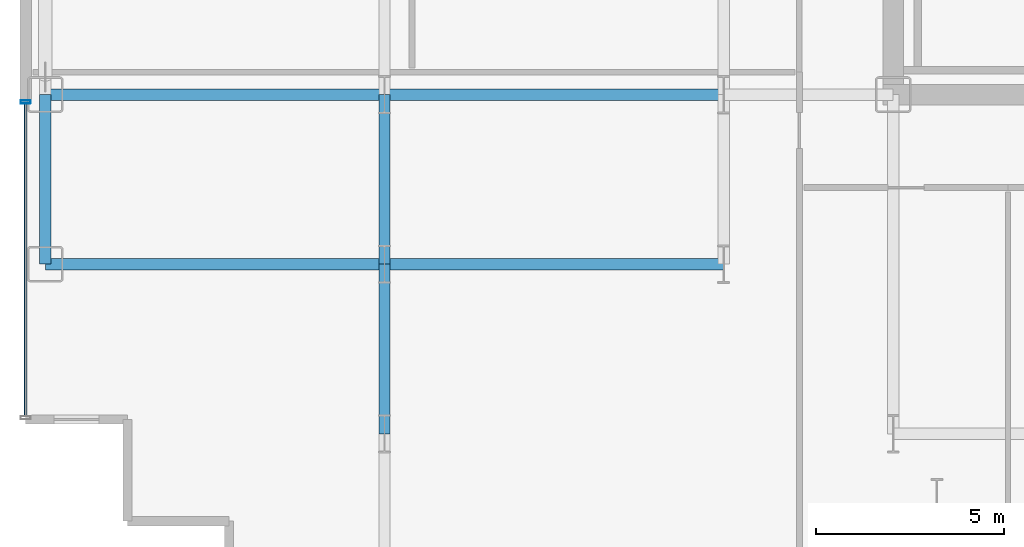
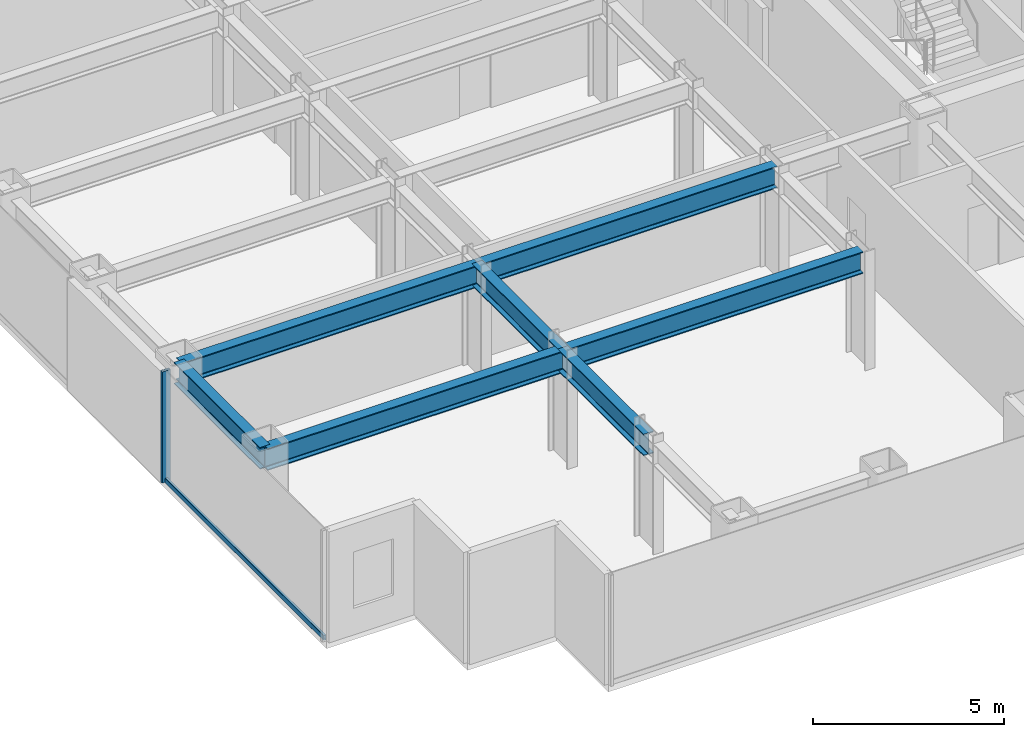
# One storey, part 3 of 29: 7 beams, 2 members, 1 element without a shape of its own.
"""IFC4 building model written with IfcOpenShell, lengths in metres."""

from ifc_helpers import new_model, si_unit, direction, frame, origin, origin_2d, place, context, subcontext, project, spatial, hollow_rectangle, i_section, extrude, source, transform, mapped, material, layer, layer_set, material_profile, profile_set, type_object, element, aggregate, save


model = new_model("IFC4")

# Units and contexts
model_context = context("Model", 3, precision=1e-05, world=origin(), true_north=direction((0.0, 1.0)))
body_context = subcontext(model_context, "Body", "Model", "MODEL_VIEW")
ifc_project = project(units=[si_unit("LENGTHUNIT", "METRE"), si_unit("AREAUNIT", "SQUARE_METRE"), si_unit("VOLUMEUNIT", "CUBIC_METRE"), si_unit("PLANEANGLEUNIT", "RADIAN"), si_unit("MASSUNIT", "GRAM", prefix="KILO")], contexts=[model_context])

# Site, building, storey
site_placement = place(None, origin())
site = spatial("IfcSite", under=ifc_project, at=site_placement, CompositionType="ELEMENT")
building_placement = place(site_placement, origin())
building = spatial("IfcBuilding", under=site, at=building_placement, Name="Nefas-Gora Pilgrimage Tower", CompositionType="ELEMENT")
storey_placement = place(building_placement, frame((0.0, 0.0, 90.800048828125)))
storey = spatial("IfcBuildingStorey", under=building, at=storey_placement, Name="L21", CompositionType="ELEMENT", Elevation=90.800048828125)

# Beams
ifc_material_1 = material(Name="Steel S355", Category="steel")
ifc_material_profile_1 = material_profile(ifc_material_1, i_section(OverallWidth=0.300048828125, OverallDepth=0.699951171875, WebThickness=0.01708984375, FlangeThickness=0.031982421875, FilletRadius=0.027099609375, at=origin_2d()), Name="HEB 700")
ifc_profile_set_1 = profile_set([ifc_material_profile_1], Name="Steel S355")
beam_type_1 = type_object("IfcBeamType", Name="BM-SPN-HEB600", PredefinedType="SPANDREL", material=ifc_profile_set_1)
shared_shape_1 = source(origin(), body_context, "Body", "SweptSolid", [
    extrude(i_section(OverallWidth=0.300048828125, OverallDepth=0.699951171875, WebThickness=0.01708984375, FlangeThickness=0.031982421875, FilletRadius=0.027099609375, at=origin_2d()), origin(), (0.0, 0.0, 1.0), 4.5),
])
beam_placement = place(storey_placement, frame((-33.75, -13.5, 3.199951171875), z_axis=(0.0, 1.0, 0.0), x_axis=(-1.0, 0.0, 0.0)))
element("IfcBeam", 1, at=beam_placement, inside=storey, type_object=beam_type_1, Name="L21 SP-01 beam", PredefinedType="SPANDREL", context=body_context, shape_type="MappedRepresentation", body=[
    mapped(shared_shape_1, transform((0.0, 0.0, 0.0), x_axis=(1.0, 0.0, 0.0), y_axis=(0.0, 1.0, 0.0), z_axis=(0.0, 0.0, 1.0), scale=1.0)),
])
ifc_material_profile_2 = material_profile(ifc_material_1, i_section(OverallWidth=0.300048828125, OverallDepth=0.699951171875, WebThickness=0.01708984375, FlangeThickness=0.031982421875, FilletRadius=0.027099609375, at=origin_2d()), Name="HEB 700")
ifc_profile_set_2 = profile_set([ifc_material_profile_2], Name="Steel S355")
beam_type_2 = type_object("IfcBeamType", Name="BM-GIR-HEB700", PredefinedType="BEAM", material=ifc_profile_set_2)
shared_shape_2 = source(origin(), body_context, "Body", "SweptSolid", [
    extrude(i_section(OverallWidth=0.300048828125, OverallDepth=0.699951171875, WebThickness=0.01708984375, FlangeThickness=0.031982421875, FilletRadius=0.027099609375, at=origin_2d()), origin(), (0.0, 0.0, 1.0), 9.0),
])
for number, where, z_axis, x_axis, name in (
    (2, (-33.75, -13.5, 3.199951171875), (1.0, 0.0, 0.0), (0.0, 1.0, 0.0), "L21 G-02 beam"),
    (3, (-33.75, -9.0, 3.199951171875), (1.0, 0.0, 0.0), (0.0, 1.0, 0.0), "L21 G-02 beam"),
    (4, (-24.75, -13.5, 3.199951171875), (1.0, 0.0, 0.0), (0.0, 1.0, 0.0), "L21 G-02 beam"),
    (5, (-24.75, -9.0, 3.199951171875), (1.0, 0.0, 0.0), (0.0, 1.0, 0.0), "L21 G-02 beam"),
):
    element("IfcBeam", number, at=place(storey_placement, frame(where, z_axis=z_axis, x_axis=x_axis)), inside=storey, type_object=beam_type_2, Name=name, PredefinedType="BEAM", context=body_context, shape_type="MappedRepresentation", body=[
        mapped(shared_shape_2, transform((0.0, 0.0, 0.0), x_axis=(1.0, 0.0, 0.0), y_axis=(0.0, 1.0, 0.0), z_axis=(0.0, 0.0, 1.0), scale=1.0)),
    ])
shared_shape_3 = source(origin(), body_context, "Body", "SweptSolid", [
    extrude(i_section(OverallWidth=0.300048828125, OverallDepth=0.699951171875, WebThickness=0.01708984375, FlangeThickness=0.031982421875, FilletRadius=0.027099609375, at=origin_2d()), origin(), (0.0, 0.0, 1.0), 4.5),
])
for number, where, z_axis, x_axis, name in (
    (6, (-24.75, -18.0, 3.199951171875), (0.0, 1.0, 0.0), (-1.0, 0.0, 0.0), "L21 G-02 beam"),
    (7, (-24.75, -13.5, 3.199951171875), (0.0, 1.0, 0.0), (-1.0, 0.0, 0.0), "L21 G-02 beam"),
):
    element("IfcBeam", number, at=place(storey_placement, frame(where, z_axis=z_axis, x_axis=x_axis)), inside=storey, type_object=beam_type_2, Name=name, PredefinedType="BEAM", context=body_context, shape_type="MappedRepresentation", body=[
        mapped(shared_shape_3, transform((0.0, 0.0, 0.0), x_axis=(1.0, 0.0, 0.0), y_axis=(0.0, 1.0, 0.0), z_axis=(0.0, 0.0, 1.0), scale=1.0)),
    ])

# Curtain wall, members
ifc_material_2 = material(Name="Dark ceramic-fritted solar-control aluminium-glass curtain wall", Category="aluminium")
ifc_layer = layer(ifc_material_2, 0.219970703125)
ifc_layer_set = layer_set([ifc_layer], Name="Dark ceramic-fritted solar-control aluminium-glass curtain wall")
curtain_wall_type = type_object("IfcCurtainWallType", Name="CW-SYS-2", PredefinedType="NOTDEFINED", material=ifc_layer_set)
curtain_wall_placement = place(storey_placement, origin())
curtain_wall = element("IfcCurtainWall", 8, at=curtain_wall_placement, inside=storey, type_object=curtain_wall_type, Name="L21 Unitised Curtain Wall CW2", PredefinedType="NOTDEFINED")
ifc_material_3 = material(Name="Anodised architectural aluminium", Category="aluminium")
ifc_material_profile_3 = material_profile(ifc_material_3, hollow_rectangle(XDim=0.090087890625, YDim=0.260009765625, WallThickness=0.006103515625, InnerFilletRadius=0.006103515625, OuterFilletRadius=0.011962890625, at=origin_2d()), Name="ALU MULLION 90x260")
ifc_profile_set_3 = profile_set([ifc_material_profile_3], Name="Anodised architectural aluminium")
member_type_1 = type_object("IfcMemberType", Name="CWM-MUL-2", PredefinedType="MULLION", material=ifc_profile_set_3)
shared_shape_4 = source(origin(), body_context, "Body", "SweptSolid", [
    extrude(hollow_rectangle(XDim=0.090087890625, YDim=0.260009765625, WallThickness=0.006103515625, InnerFilletRadius=0.006103515625, OuterFilletRadius=0.011962890625, at=origin_2d()), origin(), (0.0, 0.0, 1.0), 3.550048828125),
])
member_1_placement = place(storey_placement, frame((-34.27001953125, -9.195068359375, 0.0), z_axis=(0.0, 0.0, 1.0), x_axis=(0.0, -1.0, 0.0)))
member_1 = element("IfcMember", 9, at=member_1_placement, type_object=member_type_1, Name="CW2 Mullion 1", PredefinedType="MULLION", context=body_context, shape_type="MappedRepresentation", body=[
    mapped(shared_shape_4, transform((0.0, 0.0, 0.0), x_axis=(1.0, 0.0, 0.0), y_axis=(0.0, 1.0, 0.0), z_axis=(0.0, 0.0, 1.0), scale=1.0)),
])
ifc_material_profile_4 = material_profile(ifc_material_3, hollow_rectangle(XDim=0.080078125, YDim=0.159912109375, WallThickness=0.00439453125, InnerFilletRadius=0.00439453125, OuterFilletRadius=0.009033203125, at=origin_2d()), Name="ALU TRANSOM 80x160")
ifc_profile_set_4 = profile_set([ifc_material_profile_4], Name="Anodised architectural aluminium")
member_type_2 = type_object("IfcMemberType", Name="CWM-TRN-2", PredefinedType="USERDEFINED", material=ifc_profile_set_4)
shared_shape_5 = source(origin(), body_context, "Body", "SweptSolid", [
    extrude(hollow_rectangle(XDim=0.080078125, YDim=0.159912109375, WallThickness=0.00439453125, InnerFilletRadius=0.00439453125, OuterFilletRadius=0.009033203125, at=origin_2d()), origin(), (0.0, 0.0, 1.0), 8.2900390625),
])
member_2_placement = place(storey_placement, frame((-34.27001953125, -9.239990234375, 0.050048828125), z_axis=(0.0, -1.0, 0.0), x_axis=(1.0, 0.0, 0.0)))
member_2 = element("IfcMember", 10, at=member_2_placement, type_object=member_type_2, Name="CW2 Spandrel Transom", ObjectType="TRANSOM", PredefinedType="USERDEFINED", context=body_context, shape_type="MappedRepresentation", body=[
    mapped(shared_shape_5, transform((0.0, 0.0, 0.0), x_axis=(1.0, 0.0, 0.0), y_axis=(0.0, 1.0, 0.0), z_axis=(0.0, 0.0, 1.0), scale=1.0)),
])
aggregate(curtain_wall, [member_1, member_2])

save(model, "model.ifc")
